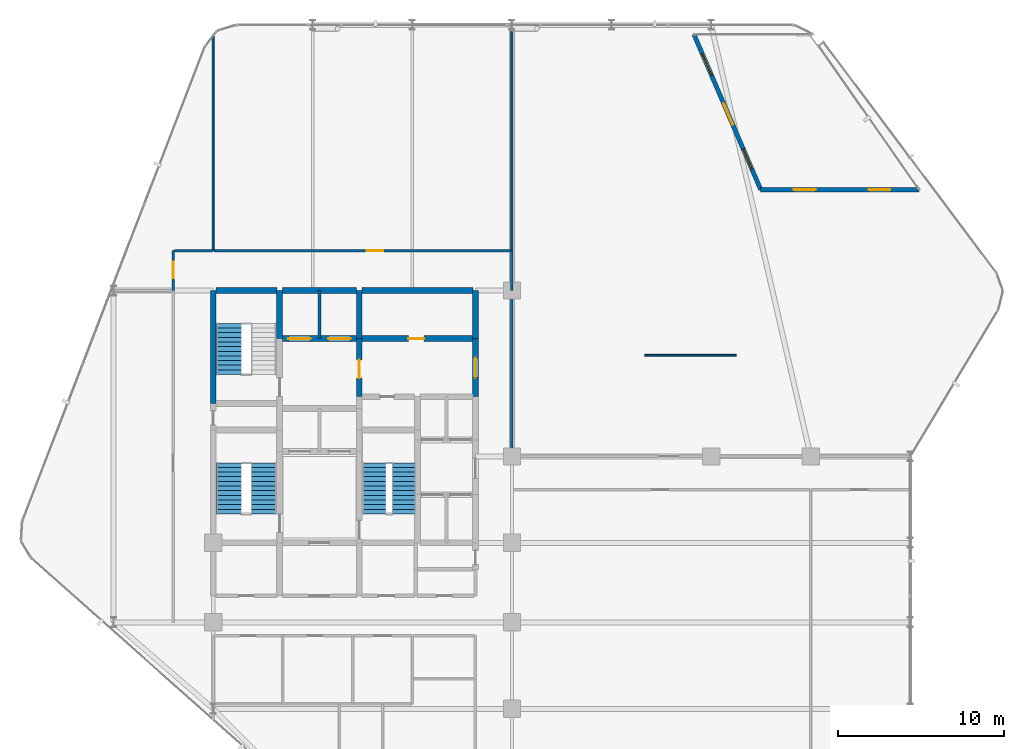
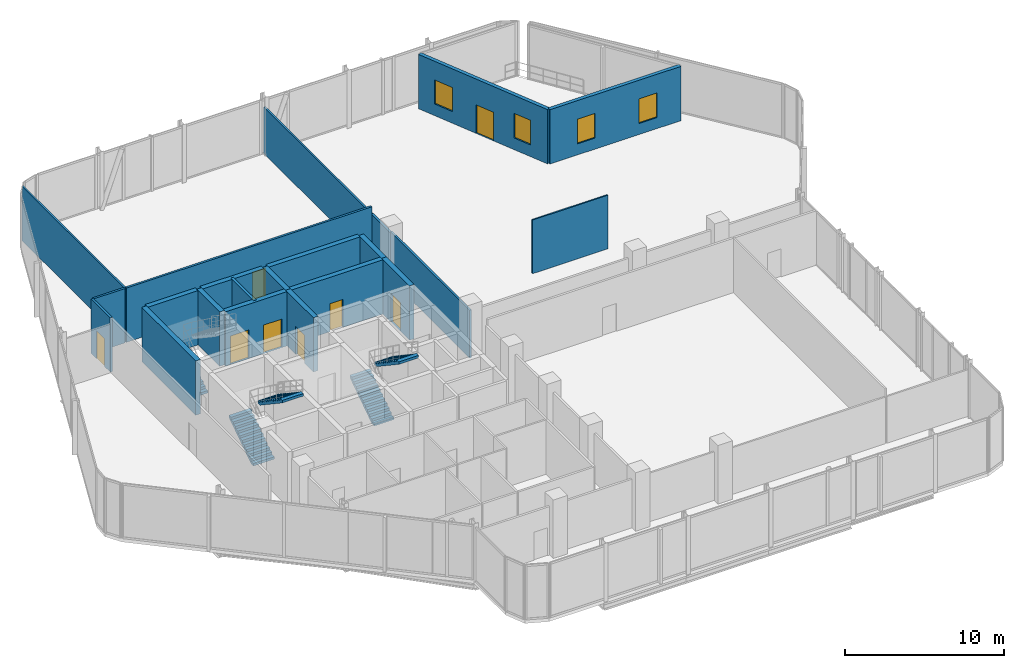
# One storey, part 29 of 31: 22 walls, 8 doors, 5 stair flights, 4 windows, 12 openings, 3 elements without a shape of their own.
"""IFC4 building model written with IfcOpenShell, lengths in metres."""

from ifc_helpers import new_model, si_unit, direction, frame, frame_2d, origin, place, context, subcontext, project, spatial, polyline, rectangle, outline, extrude, material, layer, layer_set, type_object, element, fill, aggregate, save


model = new_model("IFC4")

# Units and contexts
model_context = context("Model", 3, precision=1e-05, world=origin(), true_north=direction((0.0, 1.0)))
body_context = subcontext(model_context, "Body", "Model", "MODEL_VIEW")
ifc_project = project(units=[si_unit("LENGTHUNIT", "METRE"), si_unit("AREAUNIT", "SQUARE_METRE"), si_unit("VOLUMEUNIT", "CUBIC_METRE"), si_unit("PLANEANGLEUNIT", "RADIAN"), si_unit("MASSUNIT", "GRAM", prefix="KILO")], contexts=[model_context])

# Site, building, storey
site_placement = place(None, origin())
site = spatial("IfcSite", under=ifc_project, at=site_placement, CompositionType="ELEMENT")
building_placement = place(site_placement, origin())
building = spatial("IfcBuilding", under=site, at=building_placement, Name="Keshet Zoharim Tower", CompositionType="ELEMENT")
storey_placement = place(building_placement, frame((0.0, 0.0, 125.300048828125)))
storey = spatial("IfcBuildingStorey", under=building, at=storey_placement, Name="L30", CompositionType="ELEMENT", Elevation=125.300048828125)

# Wall, opening, door
ifc_material_1 = material(Name="Gypsum Plasterboard", Category="gypsum")
ifc_layer_1 = layer(ifc_material_1, 0.14990234375)
ifc_layer_set_1 = layer_set([ifc_layer_1], Name="Gypsum Plasterboard")
wall_type_1 = type_object("IfcWallType", Name="WL-CLIN-150", PredefinedType="STANDARD", material=ifc_layer_set_1)
wall_1_placement = place(storey_placement, frame((12.60009765625, 37.89990234375, 0.0), z_axis=(0.0, 0.0, 1.0), x_axis=(0.0, 1.0, 0.0)))
wall_1 = element("IfcWall", 1, at=wall_1_placement, inside=storey, type_object=wall_type_1, Name="L30 Interior Wall 002", PredefinedType="STANDARD", context=body_context, shape_type="SweptSolid", body=[
    extrude(rectangle(XDim=2.400146484375, YDim=0.14990234375, at=frame_2d((1.2001953125, 0.0))), origin(), (0.0, 0.0, 1.0), 4.18505859375),
])
opening_1_placement = place(wall_1_placement, frame((0.72509765625, 0.0, 0.0)))
opening_1 = element("IfcOpeningElement", 2, at=opening_1_placement, cuts=wall_1, Name="Opening D-F310", PredefinedType="OPENING", context=body_context, shape_type="SweptSolid", body=[
    extrude(rectangle(XDim=1.0, YDim=2.14990234375, at=frame_2d((0.5, 1.074951171875))), frame((0.0, 0.0849609375, 0.0), z_axis=(0.0, -1.0, 0.0), x_axis=(1.0, 0.0, 0.0)), (0.0, 0.0, 1.0), 0.169921875),
])
ifc_material_2 = material(Name="Hardwood Timber", Category="wood")
door_type_1 = type_object("IfcDoorType", Name="DR-FD30-100", OperationType="NOTDEFINED", PredefinedType="DOOR", material=ifc_material_2)
door_1_placement = place(opening_1_placement, origin())
door_1 = element("IfcDoor", 3, at=door_1_placement, inside=storey, type_object=door_type_1, Name="L30 North-West Residents Salon Door", OperationType="SINGLE_SWING_LEFT", OverallHeight=2.14990234375, OverallWidth=1.0, PredefinedType="DOOR", context=body_context, shape_type="SweptSolid", body=[
    extrude(rectangle(XDim=1.0, YDim=2.14990234375, at=frame_2d((0.5, 1.074951171875))), frame((0.0, 0.02490234375, 0.0), z_axis=(0.0, -1.0, 0.0), x_axis=(1.0, 0.0, 0.0)), (0.0, 0.0, 1.0), 0.050048828125),
])
fill(opening_1, door_1)

# Walls
wall_2_placement = place(storey_placement, frame((33.0, 27.89990234375, 0.0), z_axis=(0.0, 0.0, 1.0), x_axis=(0.0, 1.0, 0.0)))
element("IfcWall", 4, at=wall_2_placement, inside=storey, type_object=wall_type_1, Name="L30 Interior Wall 048", PredefinedType="STANDARD", context=body_context, shape_type="SweptSolid", body=[
    extrude(rectangle(XDim=10.0, YDim=0.14990234375, at=frame_2d((5.0, 0.0))), origin(), (0.0, 0.0, 1.0), 3.68505859375),
])
wall_3_placement = place(storey_placement, frame((12.659912109375, 40.300048828125, 0.0), z_axis=(0.0, 0.0, 1.0), x_axis=(1.0, 0.0, 0.0)))
element("IfcWall", 5, at=wall_3_placement, inside=storey, type_object=wall_type_1, Name="L30 Interior Wall 092", PredefinedType="STANDARD", context=body_context, shape_type="SweptSolid", body=[
    extrude(rectangle(XDim=2.295166015625, YDim=0.14990234375, at=frame_2d((1.1474609375, 0.0))), origin(), (0.0, 0.0, 1.0), 4.18505859375),
])

# Wall, opening, door
wall_4_placement = place(storey_placement, frame((15.044921875, 40.300048828125, 0.0), z_axis=(0.0, 0.0, 1.0), x_axis=(1.0, 0.0, 0.0)))
wall_4 = element("IfcWall", 6, at=wall_4_placement, inside=storey, type_object=wall_type_1, Name="L30 Interior Wall 093", PredefinedType="STANDARD", context=body_context, shape_type="SweptSolid", body=[
    extrude(rectangle(XDim=17.89501953125, YDim=0.14990234375, at=frame_2d((8.947509765625, 0.0))), origin(), (0.0, 0.0, 1.0), 4.18505859375),
])
opening_2_placement = place(wall_4_placement, frame((9.205078125, 0.0, 0.0)))
opening_2 = element("IfcOpeningElement", 7, at=opening_2_placement, cuts=wall_4, Name="Opening D-F310", PredefinedType="OPENING", context=body_context, shape_type="SweptSolid", body=[
    extrude(rectangle(XDim=1.0, YDim=2.14990234375, at=frame_2d((0.5, 1.074951171875))), frame((0.0, 0.0849609375, 0.0), z_axis=(0.0, -1.0, 0.0), x_axis=(1.0, 0.0, 0.0)), (0.0, 0.0, 1.0), 0.169921875),
])
door_2_placement = place(opening_2_placement, origin())
door_2 = element("IfcDoor", 8, at=door_2_placement, inside=storey, type_object=door_type_1, Name="L30 Library and Study Room Door", OperationType="SINGLE_SWING_RIGHT", OverallHeight=2.14990234375, OverallWidth=1.0, PredefinedType="DOOR", context=body_context, shape_type="SweptSolid", body=[
    extrude(rectangle(XDim=1.0, YDim=2.14990234375, at=frame_2d((0.5, 1.074951171875))), frame((0.0, 0.02490234375, 0.0), z_axis=(0.0, -1.0, 0.0), x_axis=(1.0, 0.0, 0.0)), (0.0, 0.0, 1.0), 0.050048828125),
])
fill(opening_2, door_2)

# Walls
wall_5_placement = place(storey_placement, frame((33.0, 37.89990234375, 0.0), z_axis=(0.0, 0.0, 1.0), x_axis=(0.0, 1.0, 0.0)))
element("IfcWall", 9, at=wall_5_placement, inside=storey, type_object=wall_type_1, Name="L30 Interior Wall 048 Part 2", PredefinedType="STANDARD", context=body_context, shape_type="SweptSolid", body=[
    extrude(rectangle(XDim=2.400146484375, YDim=0.14990234375, at=frame_2d((1.2001953125, 0.0))), origin(), (0.0, 0.0, 1.0), 3.5849609375),
])
ifc_material_3 = material(Name="Concrete C60/75", Category="concrete")
ifc_layer_2 = layer(ifc_material_3, 0.35009765625)
ifc_layer_set_2 = layer_set([ifc_layer_2], Name="Concrete C60/75")
wall_type_2 = type_object("IfcWallType", Name="WL-CORE-350", PredefinedType="SHEAR", material=ifc_layer_set_2)
wall_6_placement = place(storey_placement, frame((15.0, 31.10009765625, 0.0), z_axis=(0.0, 0.0, 1.0), x_axis=(0.0, 1.0, 0.0)))
element("IfcWall", 10, at=wall_6_placement, inside=storey, type_object=wall_type_2, Name="L30 Core Shear Wall 008", PredefinedType="SHEAR", context=body_context, shape_type="SweptSolid", body=[
    extrude(rectangle(XDim=6.7998046875, YDim=0.35009765625, at=frame_2d((3.39990234375, 0.0))), origin(), (0.0, 0.0, 1.0), 4.18505859375),
])
wall_7_placement = place(storey_placement, frame((19.0, 35.0, 0.0), z_axis=(0.0, 0.0, 1.0), x_axis=(0.0, 1.0, 0.0)))
element("IfcWall", 11, at=wall_7_placement, inside=storey, type_object=wall_type_2, Name="L30 Core Shear Wall 014", PredefinedType="SHEAR", context=body_context, shape_type="SweptSolid", body=[
    extrude(rectangle(XDim=2.89990234375, YDim=0.35009765625, at=frame_2d((1.449951171875, 0.0))), origin(), (0.0, 0.0, 1.0), 4.18505859375),
])

# Wall, opening, door
wall_8_placement = place(storey_placement, frame((23.800048828125, 31.5, 0.0), z_axis=(0.0, 0.0, 1.0), x_axis=(0.0, 1.0, 0.0)))
wall_8 = element("IfcWall", 12, at=wall_8_placement, inside=storey, type_object=wall_type_2, Name="L30 Core Shear Wall 025", PredefinedType="SHEAR", context=body_context, shape_type="SweptSolid", body=[
    extrude(rectangle(XDim=3.5, YDim=0.35009765625, at=frame_2d((1.75, 0.0))), origin(), (0.0, 0.0, 1.0), 4.18505859375),
])
opening_3_placement = place(wall_8_placement, frame((1.126953125, 0.0, 0.0)))
opening_3 = element("IfcOpeningElement", 13, at=opening_3_placement, cuts=wall_8, Name="Opening D-F611", PredefinedType="OPENING", context=body_context, shape_type="SweptSolid", body=[
    extrude(rectangle(XDim=1.10009765625, YDim=2.14990234375, at=frame_2d((0.550048828125, 1.074951171875))), frame((0.0, 0.18505859375, 0.0), z_axis=(0.0, -1.0, 0.0), x_axis=(1.0, 0.0, 0.0)), (0.0, 0.0, 1.0), 0.3701171875),
])
door_type_2 = type_object("IfcDoorType", Name="DR-FD60-110", OperationType="NOTDEFINED", PredefinedType="DOOR", material=ifc_material_2)
door_3_placement = place(opening_3_placement, origin())
door_3 = element("IfcDoor", 14, at=door_3_placement, inside=storey, type_object=door_type_2, Name="L30 Firefighting Lobby Fire Door", OperationType="SINGLE_SWING_RIGHT", OverallHeight=2.14990234375, OverallWidth=1.10009765625, PredefinedType="DOOR", context=body_context, shape_type="SweptSolid", body=[
    extrude(rectangle(XDim=1.10009765625, YDim=2.14990234375, at=frame_2d((0.550048828125, 1.074951171875))), frame((0.0, 0.02490234375, 0.0), z_axis=(0.0, -1.0, 0.0), x_axis=(1.0, 0.0, 0.0)), (0.0, 0.0, 1.0), 0.050048828125),
])
fill(opening_3, door_3)

# Wall
wall_9_placement = place(storey_placement, frame((23.800048828125, 35.0, 0.0), z_axis=(0.0, 0.0, 1.0), x_axis=(0.0, 1.0, 0.0)))
element("IfcWall", 15, at=wall_9_placement, inside=storey, type_object=wall_type_2, Name="L30 Core Shear Wall 026", PredefinedType="SHEAR", context=body_context, shape_type="SweptSolid", body=[
    extrude(rectangle(XDim=2.89990234375, YDim=0.35009765625, at=frame_2d((1.449951171875, 0.0))), origin(), (0.0, 0.0, 1.0), 4.18505859375),
])

# Wall, opening, door
wall_10_placement = place(storey_placement, frame((30.800048828125, 31.5, 0.0), z_axis=(0.0, 0.0, 1.0), x_axis=(0.0, 1.0, 0.0)))
wall_10 = element("IfcWall", 16, at=wall_10_placement, inside=storey, type_object=wall_type_2, Name="L30 Core Shear Wall 045", PredefinedType="SHEAR", context=body_context, shape_type="SweptSolid", body=[
    extrude(rectangle(XDim=3.5, YDim=0.35009765625, at=frame_2d((1.75, 0.0))), origin(), (0.0, 0.0, 1.0), 4.18505859375),
])
opening_4_placement = place(wall_10_placement, frame((1.14990234375, 0.0, 0.0)))
opening_4 = element("IfcOpeningElement", 17, at=opening_4_placement, cuts=wall_10, Name="Opening D-F612", PredefinedType="OPENING", context=body_context, shape_type="SweptSolid", body=[
    extrude(rectangle(XDim=1.199951171875, YDim=2.199951171875, at=frame_2d((0.60009765625, 1.10009765625))), frame((0.0, 0.18505859375, 0.0), z_axis=(0.0, -1.0, 0.0), x_axis=(1.0, 0.0, 0.0)), (0.0, 0.0, 1.0), 0.3701171875),
])
door_type_3 = type_object("IfcDoorType", Name="DR-FD60-120", OperationType="NOTDEFINED", PredefinedType="DOOR", material=ifc_material_2)
door_4_placement = place(opening_4_placement, origin())
door_4 = element("IfcDoor", 18, at=door_4_placement, inside=storey, type_object=door_type_3, Name="L30 North Lift Lobby East Fire Door", OperationType="SINGLE_SWING_LEFT", OverallHeight=2.199951171875, OverallWidth=1.199951171875, PredefinedType="DOOR", context=body_context, shape_type="SweptSolid", body=[
    extrude(rectangle(XDim=1.199951171875, YDim=2.199951171875, at=frame_2d((0.60009765625, 1.10009765625))), frame((0.0, 0.02490234375, 0.0), z_axis=(0.0, -1.0, 0.0), x_axis=(1.0, 0.0, 0.0)), (0.0, 0.0, 1.0), 0.050048828125),
])
fill(opening_4, door_4)

# Wall
wall_11_placement = place(storey_placement, frame((30.800048828125, 35.0, 0.0), z_axis=(0.0, 0.0, 1.0), x_axis=(0.0, 1.0, 0.0)))
element("IfcWall", 19, at=wall_11_placement, inside=storey, type_object=wall_type_2, Name="L30 Core Shear Wall 046", PredefinedType="SHEAR", context=body_context, shape_type="SweptSolid", body=[
    extrude(rectangle(XDim=2.89990234375, YDim=0.35009765625, at=frame_2d((1.449951171875, 0.0))), origin(), (0.0, 0.0, 1.0), 4.18505859375),
])

# Wall, openings, doors
wall_12_placement = place(storey_placement, frame((19.159912109375, 35.0, 0.0), z_axis=(0.0, 0.0, 1.0), x_axis=(1.0, 0.0, 0.0)))
wall_12 = element("IfcWall", 20, at=wall_12_placement, inside=storey, type_object=wall_type_2, Name="L30 Core Shear Wall 086", PredefinedType="SHEAR", context=body_context, shape_type="SweptSolid", body=[
    extrude(rectangle(XDim=4.47998046875, YDim=0.35009765625, at=frame_2d((2.239990234375, 0.0))), origin(), (0.0, 0.0, 1.0), 4.18505859375),
])
opening_5_placement = place(wall_12_placement, frame((0.364990234375, 0.0, 0.0)))
opening_5 = element("IfcOpeningElement", 21, at=opening_5_placement, cuts=wall_12, Name="Opening LD-02", PredefinedType="OPENING", context=body_context, shape_type="SweptSolid", body=[
    extrude(rectangle(XDim=1.35009765625, YDim=2.199951171875, at=frame_2d((0.675048828125, 1.10009765625))), frame((0.0, 0.18505859375, 0.0), z_axis=(0.0, -1.0, 0.0), x_axis=(1.0, 0.0, 0.0)), (0.0, 0.0, 1.0), 0.3701171875),
])
opening_6_placement = place(wall_12_placement, frame((2.764892578125, 0.0, 0.0)))
opening_6 = element("IfcOpeningElement", 22, at=opening_6_placement, cuts=wall_12, Name="Opening LD-02", PredefinedType="OPENING", context=body_context, shape_type="SweptSolid", body=[
    extrude(rectangle(XDim=1.35009765625, YDim=2.199951171875, at=frame_2d((0.675048828125, 1.10009765625))), frame((0.0, 0.18505859375, 0.0), z_axis=(0.0, -1.0, 0.0), x_axis=(1.0, 0.0, 0.0)), (0.0, 0.0, 1.0), 0.3701171875),
])
ifc_material_4 = material(Name="Steel S355", Category="steel")
door_type_4 = type_object("IfcDoorType", Name="DR-LD02-135", OperationType="DOUBLE_DOOR_SLIDING", PredefinedType="DOOR", material=ifc_material_4)
door_5_placement = place(opening_5_placement, origin())
door_5 = element("IfcDoor", 23, at=door_5_placement, inside=storey, type_object=door_type_4, Name="L30 Firefighting Lift Landing Door FF-01", OperationType="DOUBLE_DOOR_SLIDING", OverallHeight=2.199951171875, OverallWidth=1.35009765625, PredefinedType="DOOR", context=body_context, shape_type="SweptSolid", body=[
    extrude(rectangle(XDim=1.35009765625, YDim=2.199951171875, at=frame_2d((0.675048828125, 1.10009765625))), frame((0.0, 0.02490234375, 0.0), z_axis=(0.0, -1.0, 0.0), x_axis=(1.0, 0.0, 0.0)), (0.0, 0.0, 1.0), 0.050048828125),
])
fill(opening_5, door_5)
door_6_placement = place(opening_6_placement, origin())
door_6 = element("IfcDoor", 24, at=door_6_placement, inside=storey, type_object=door_type_4, Name="L30 Firefighting Lift Landing Door FF-02", OperationType="DOUBLE_DOOR_SLIDING", OverallHeight=2.199951171875, OverallWidth=1.35009765625, PredefinedType="DOOR", context=body_context, shape_type="SweptSolid", body=[
    extrude(rectangle(XDim=1.35009765625, YDim=2.199951171875, at=frame_2d((0.675048828125, 1.10009765625))), frame((0.0, 0.02490234375, 0.0), z_axis=(0.0, -1.0, 0.0), x_axis=(1.0, 0.0, 0.0)), (0.0, 0.0, 1.0), 0.050048828125),
])
fill(opening_6, door_6)

# Wall, opening, door
wall_13_placement = place(storey_placement, frame((23.9599609375, 35.0, 0.0), z_axis=(0.0, 0.0, 1.0), x_axis=(1.0, 0.0, 0.0)))
wall_13 = element("IfcWall", 25, at=wall_13_placement, inside=storey, type_object=wall_type_2, Name="L30 Core Shear Wall 087", PredefinedType="SHEAR", context=body_context, shape_type="SweptSolid", body=[
    extrude(rectangle(XDim=6.679931640625, YDim=0.35009765625, at=frame_2d((3.33984375, 0.0))), origin(), (0.0, 0.0, 1.0), 4.18505859375),
])
opening_7_placement = place(wall_13_placement, frame((2.7939453125, 0.0, 0.0)))
opening_7 = element("IfcOpeningElement", 26, at=opening_7_placement, cuts=wall_13, Name="Opening D-F695", PredefinedType="OPENING", context=body_context, shape_type="SweptSolid", body=[
    extrude(rectangle(XDim=0.949951171875, YDim=2.14990234375, at=frame_2d((0.47509765625, 1.074951171875))), frame((0.0, 0.18505859375, 0.0), z_axis=(0.0, -1.0, 0.0), x_axis=(1.0, 0.0, 0.0)), (0.0, 0.0, 1.0), 0.3701171875),
])
door_type_5 = type_object("IfcDoorType", Name="DR-FD60-095", OperationType="NOTDEFINED", PredefinedType="DOOR", material=ifc_material_2)
door_7_placement = place(opening_7_placement, frame((0.949951171875, 0.0, 0.0), z_axis=(0.0, 0.0, 1.0), x_axis=(-1.0, 0.0, 0.0)))
door_7 = element("IfcDoor", 27, at=door_7_placement, inside=storey, type_object=door_type_5, Name="L30 Low-Rise Overrun Door", OperationType="SINGLE_SWING_LEFT", OverallHeight=2.14990234375, OverallWidth=0.949951171875, PredefinedType="DOOR", context=body_context, shape_type="SweptSolid", body=[
    extrude(rectangle(XDim=0.949951171875, YDim=2.14990234375, at=frame_2d((0.47509765625, 1.074951171875))), frame((0.0, 0.02490234375, 0.0), z_axis=(0.0, -1.0, 0.0), x_axis=(1.0, 0.0, 0.0)), (0.0, 0.0, 1.0), 0.050048828125),
])
fill(opening_7, door_7)

# Walls
wall_14_placement = place(storey_placement, frame((15.159912109375, 37.89990234375, 0.0), z_axis=(0.0, 0.0, 1.0), x_axis=(1.0, 0.0, 0.0)))
element("IfcWall", 28, at=wall_14_placement, inside=storey, type_object=wall_type_2, Name="L30 Core Shear Wall 089", PredefinedType="SHEAR", context=body_context, shape_type="SweptSolid", body=[
    extrude(rectangle(XDim=3.68017578125, YDim=0.35009765625, at=frame_2d((1.840087890625, 0.0))), origin(), (0.0, 0.0, 1.0), 4.18505859375),
])
wall_15_placement = place(storey_placement, frame((19.159912109375, 37.89990234375, 0.0), z_axis=(0.0, 0.0, 1.0), x_axis=(1.0, 0.0, 0.0)))
element("IfcWall", 29, at=wall_15_placement, inside=storey, type_object=wall_type_2, Name="L30 Core Shear Wall 090", PredefinedType="SHEAR", context=body_context, shape_type="SweptSolid", body=[
    extrude(rectangle(XDim=4.47998046875, YDim=0.35009765625, at=frame_2d((2.239990234375, 0.0))), origin(), (0.0, 0.0, 1.0), 4.18505859375),
])
wall_16_placement = place(storey_placement, frame((23.9599609375, 37.89990234375, 0.0), z_axis=(0.0, 0.0, 1.0), x_axis=(1.0, 0.0, 0.0)))
element("IfcWall", 30, at=wall_16_placement, inside=storey, type_object=wall_type_2, Name="L30 Core Shear Wall 091", PredefinedType="SHEAR", context=body_context, shape_type="SweptSolid", body=[
    extrude(rectangle(XDim=6.679931640625, YDim=0.35009765625, at=frame_2d((3.33984375, 0.0))), origin(), (0.0, 0.0, 1.0), 4.18505859375),
])

# Wall, openings, door, windows
ifc_material_5 = material(Name="Concrete C50/60 precast", Category="concrete")
ifc_layer_3 = layer(ifc_material_5, 0.260009765625)
ifc_layer_set_3 = layer_set([ifc_layer_3], Name="Concrete C50/60 precast")
wall_type_3 = type_object("IfcWallType", Name="WL-EXT-260", PredefinedType="STANDARD", material=ifc_layer_set_3)
wall_17_placement = place(storey_placement, frame((43.969970703125, 53.320068359375, 0.0), z_axis=(0.0, 0.0, 1.0), x_axis=(0.395098475243, -0.918638772783, 0.0)))
wall_17 = element("IfcWall", 31, at=wall_17_placement, inside=storey, type_object=wall_type_3, Name="L30 Exterior Facade Wall 01", PredefinedType="STANDARD", context=body_context, shape_type="SweptSolid", body=[
    extrude(rectangle(XDim=10.167236328125, YDim=0.260009765625, at=frame_2d((5.08349609375, 0.0))), origin(), (0.0, 0.0, 1.0), 4.18505859375),
])
opening_8_placement = place(wall_17_placement, frame((4.510986328125, 0.0, 0.0)))
opening_8 = element("IfcOpeningElement", 32, at=opening_8_placement, cuts=wall_17, Name="Opening D-TR14", PredefinedType="OPENING", context=body_context, shape_type="SweptSolid", body=[
    extrude(rectangle(XDim=1.39990234375, YDim=2.199951171875, at=frame_2d((0.699951171875, 1.10009765625))), frame((0.0, 0.14013671875, 0.0), z_axis=(0.0, -1.0, 0.0), x_axis=(1.0, 0.0, 0.0)), (0.0, 0.0, 1.0), 0.280029296875),
])
opening_9_placement = place(wall_17_placement, frame((1.260986328125, 0.0, 0.89990234375)))
opening_9 = element("IfcOpeningElement", 33, at=opening_9_placement, cuts=wall_17, Name="Opening W-140", PredefinedType="OPENING", context=body_context, shape_type="SweptSolid", body=[
    extrude(rectangle(XDim=1.39990234375, YDim=1.85009765625, at=frame_2d((0.699951171875, 0.925048828125))), frame((0.0, 0.14013671875, 0.0), z_axis=(0.0, -1.0, 0.0), x_axis=(1.0, 0.0, 0.0)), (0.0, 0.0, 1.0), 0.280029296875),
])
opening_10_placement = place(wall_17_placement, frame((7.506103515625, 0.0, 0.89990234375)))
opening_10 = element("IfcOpeningElement", 34, at=opening_10_placement, cuts=wall_17, Name="Opening W-130", PredefinedType="OPENING", context=body_context, shape_type="SweptSolid", body=[
    extrude(rectangle(XDim=1.300048828125, YDim=1.89990234375, at=frame_2d((0.64990234375, 0.949951171875))), frame((0.0, 0.14013671875, 0.0), z_axis=(0.0, -1.0, 0.0), x_axis=(1.0, 0.0, 0.0)), (0.0, 0.0, 1.0), 0.280029296875),
])
ifc_material_6 = material(Name="Aluminium 6063-T6", Category="aluminium")
door_type_6 = type_object("IfcDoorType", Name="DR-TER-140", OperationType="DOUBLE_DOOR_SINGLE_SWING", PredefinedType="DOOR", material=ifc_material_6)
door_8_placement = place(opening_8_placement, origin())
door_8 = element("IfcDoor", 35, at=door_8_placement, inside=storey, type_object=door_type_6, Name="L30 Sky Terrace Access Door 01", OperationType="DOUBLE_DOOR_SINGLE_SWING", OverallHeight=2.199951171875, OverallWidth=1.39990234375, PredefinedType="DOOR", context=body_context, shape_type="SweptSolid", body=[
    extrude(rectangle(XDim=1.39990234375, YDim=2.199951171875, at=frame_2d((0.699951171875, 1.10009765625))), frame((0.0, 0.02490234375, 0.0), z_axis=(0.0, -1.0, 0.0), x_axis=(1.0, 0.0, 0.0)), (0.0, 0.0, 1.0), 0.050048828125),
])
fill(opening_8, door_8)
ifc_material_7 = material(Name="Insulated Low-E Clear Glass", Category="glass")
window_type_1 = type_object("IfcWindowType", Name="WN-CRN-130", PartitioningType="SINGLE_PANEL", PredefinedType="WINDOW", material=ifc_material_7)
window_1_placement = place(opening_10_placement, origin())
window_1 = element("IfcWindow", 36, at=window_1_placement, inside=storey, type_object=window_type_1, Name="L30 Terrace Side Window 02", OverallHeight=1.89990234375, OverallWidth=1.300048828125, PartitioningType="SINGLE_PANEL", PredefinedType="WINDOW", context=body_context, shape_type="SweptSolid", body=[
    extrude(rectangle(XDim=1.300048828125, YDim=1.89990234375, at=frame_2d((0.64990234375, 0.949951171875))), frame((0.0, 0.030029296875, 0.0), z_axis=(0.0, -1.0, 0.0), x_axis=(1.0, 0.0, 0.0)), (0.0, 0.0, 1.0), 0.06005859375),
])
fill(opening_10, window_1)
window_type_2 = type_object("IfcWindowType", Name="WN-TER-140", PartitioningType="SINGLE_PANEL", PredefinedType="WINDOW", material=ifc_material_7)
window_2_placement = place(opening_9_placement, origin())
window_2 = element("IfcWindow", 37, at=window_2_placement, inside=storey, type_object=window_type_2, Name="L30 Terrace Side Window 01", OverallHeight=1.85009765625, OverallWidth=1.39990234375, PartitioningType="SINGLE_PANEL", PredefinedType="WINDOW", context=body_context, shape_type="SweptSolid", body=[
    extrude(rectangle(XDim=1.39990234375, YDim=1.85009765625, at=frame_2d((0.699951171875, 0.925048828125))), frame((0.0, 0.030029296875, 0.0), z_axis=(0.0, -1.0, 0.0), x_axis=(1.0, 0.0, 0.0)), (0.0, 0.0, 1.0), 0.06005859375),
])
fill(opening_9, window_2)

# Wall, openings, windows
wall_18_placement = place(storey_placement, frame((47.987060546875, 43.97998046875, 0.0), z_axis=(0.0, 0.0, 1.0), x_axis=(1.0, 0.0, 0.0)))
wall_18 = element("IfcWall", 38, at=wall_18_placement, inside=storey, type_object=wall_type_3, Name="L30 Exterior Facade Wall 02", PredefinedType="STANDARD", context=body_context, shape_type="SweptSolid", body=[
    extrude(rectangle(XDim=9.551025390625, YDim=0.260009765625, at=frame_2d((4.775390625, 0.0))), origin(), (0.0, 0.0, 1.0), 4.18505859375),
])
opening_11_placement = place(wall_18_placement, frame((2.0029296875, 0.0, 0.85009765625)))
opening_11 = element("IfcOpeningElement", 39, at=opening_11_placement, cuts=wall_18, Name="Opening W-130", PredefinedType="OPENING", context=body_context, shape_type="SweptSolid", body=[
    extrude(rectangle(XDim=1.300048828125, YDim=1.89990234375, at=frame_2d((0.64990234375, 0.949951171875))), frame((0.0, 0.14013671875, 0.0), z_axis=(0.0, -1.0, 0.0), x_axis=(1.0, 0.0, 0.0)), (0.0, 0.0, 1.0), 0.280029296875),
])
opening_12_placement = place(wall_18_placement, frame((6.508056640625, 0.0, 0.85009765625)))
opening_12 = element("IfcOpeningElement", 40, at=opening_12_placement, cuts=wall_18, Name="Opening W-130", PredefinedType="OPENING", context=body_context, shape_type="SweptSolid", body=[
    extrude(rectangle(XDim=1.300048828125, YDim=1.89990234375, at=frame_2d((0.64990234375, 0.949951171875))), frame((0.0, 0.14013671875, 0.0), z_axis=(0.0, -1.0, 0.0), x_axis=(1.0, 0.0, 0.0)), (0.0, 0.0, 1.0), 0.280029296875),
])
window_3_placement = place(opening_11_placement, origin())
window_3 = element("IfcWindow", 41, at=window_3_placement, inside=storey, type_object=window_type_1, Name="L30 Wind-Corner Window 03", OverallHeight=1.89990234375, OverallWidth=1.300048828125, PartitioningType="SINGLE_PANEL", PredefinedType="WINDOW", context=body_context, shape_type="SweptSolid", body=[
    extrude(rectangle(XDim=1.300048828125, YDim=1.89990234375, at=frame_2d((0.64990234375, 0.949951171875))), frame((0.0, 0.030029296875, 0.0), z_axis=(0.0, -1.0, 0.0), x_axis=(1.0, 0.0, 0.0)), (0.0, 0.0, 1.0), 0.06005859375),
])
fill(opening_11, window_3)
window_4_placement = place(opening_12_placement, origin())
window_4 = element("IfcWindow", 42, at=window_4_placement, inside=storey, type_object=window_type_1, Name="L30 Wind-Corner Window 04", OverallHeight=1.89990234375, OverallWidth=1.300048828125, PartitioningType="SINGLE_PANEL", PredefinedType="WINDOW", context=body_context, shape_type="SweptSolid", body=[
    extrude(rectangle(XDim=1.300048828125, YDim=1.89990234375, at=frame_2d((0.64990234375, 0.949951171875))), frame((0.0, 0.030029296875, 0.0), z_axis=(0.0, -1.0, 0.0), x_axis=(1.0, 0.0, 0.0)), (0.0, 0.0, 1.0), 0.06005859375),
])
fill(opening_12, window_4)

# Walls
ifc_material_8 = material(Name="Concrete C50/60", Category="concrete")
ifc_layer_4 = layer(ifc_material_8, 0.199951171875)
ifc_layer_set_4 = layer_set([ifc_layer_4], Name="Concrete C50/60")
wall_type_4 = type_object("IfcWallType", Name="WL-FIRE-200", PredefinedType="STANDARD", material=ifc_layer_set_4)
wall_19_placement = place(storey_placement, frame((21.39990234375, 35.0, 0.0), z_axis=(0.0, 0.0, 1.0), x_axis=(0.0, 1.0, 0.0)))
element("IfcWall", 43, at=wall_19_placement, inside=storey, type_object=wall_type_4, Name="L30 Interior Wall 017", PredefinedType="STANDARD", context=body_context, shape_type="SweptSolid", body=[
    extrude(rectangle(XDim=2.89990234375, YDim=0.199951171875, at=frame_2d((1.449951171875, 0.0))), origin(), (0.0, 0.0, 1.0), 4.18505859375),
])
ifc_layer_5 = layer(ifc_material_1, 0.10009765625)
ifc_layer_set_5 = layer_set([ifc_layer_5], Name="Gypsum Plasterboard")
wall_type_5 = type_object("IfcWallType", Name="WL-MOV-100", PredefinedType="MOVABLE", material=ifc_layer_set_5)
wall_20_placement = place(storey_placement, frame((41.0, 34.0, 0.0), z_axis=(0.0, 0.0, 1.0), x_axis=(1.0, 0.0, 0.0)))
element("IfcWall", 44, at=wall_20_placement, inside=storey, type_object=wall_type_5, Name="L30 Community Hall Movable Acoustic Partition", PredefinedType="MOVABLE", context=body_context, shape_type="SweptSolid", body=[
    extrude(rectangle(XDim=5.5, YDim=0.10009765625, at=frame_2d((2.75, 0.0))), origin(), (0.0, 0.0, 1.0), 4.135009765625),
])
ifc_layer_6 = layer(ifc_material_1, 0.1201171875)
ifc_layer_set_6 = layer_set([ifc_layer_6], Name="Gypsum Plasterboard")
wall_type_6 = type_object("IfcWallType", Name="WL-PART-120", PredefinedType="PARTITIONING", material=ifc_layer_set_6)
wall_21_placement = place(storey_placement, frame((15.0, 40.300048828125, 0.0), z_axis=(0.0, 0.0, 1.0), x_axis=(0.0, 1.0, 0.0)))
element("IfcWall", 45, at=wall_21_placement, inside=storey, type_object=wall_type_6, Name="L30 Interior Wall 009", PredefinedType="PARTITIONING", context=body_context, shape_type="SweptSolid", body=[
    extrude(rectangle(XDim=12.932861328125, YDim=0.1201171875, at=frame_2d((6.46630859375, 0.0))), origin(), (0.0, 0.0, 1.0), 4.18505859375),
])
wall_22_placement = place(storey_placement, frame((33.0, 40.300048828125, 0.0), z_axis=(0.0, 0.0, 1.0), x_axis=(0.0, 1.0, 0.0)))
element("IfcWall", 46, at=wall_22_placement, inside=storey, type_object=wall_type_6, Name="L30 Interior Wall 049", PredefinedType="PARTITIONING", context=body_context, shape_type="SweptSolid", body=[
    extrude(rectangle(XDim=13.58984375, YDim=0.1201171875, at=frame_2d((6.794921875, 0.0))), origin(), (0.0, 0.0, 1.0), 3.5849609375),
])

# Stair, stair flights
stair_type = type_object("IfcStairType", Name="STR-EXIT-135", PredefinedType="HALF_TURN_STAIR", material=ifc_material_8)
stair_1_placement = place(storey_placement, origin())
stair_1 = element("IfcStair", 47, at=stair_1_placement, inside=storey, type_object=stair_type, Name="L30 Enclosed Exit Stair ST-01", PredefinedType="HALF_TURN_STAIR")
stair_flight_type_1 = type_object("IfcStairFlightType", Name="FLT-PRE-135", PredefinedType="STRAIGHT", material=ifc_material_8)
stair_flight_1_placement = place(storey_placement, frame((15.945068359375, 24.43994140625, 0.0), z_axis=(0.0, 0.0, 1.0), x_axis=(0.0, 1.0, 0.0)))
stair_flight_1 = element("IfcStairFlight", 48, at=stair_flight_1_placement, type_object=stair_flight_type_1, Name="ST-01 flight 1", NumberOfRisers=12, NumberOfTreads=11, PredefinedType="STRAIGHT", RiserHeight=0.1875, TreadLength=0.28, context=body_context, shape_type="SweptSolid", body=[
    extrude(outline(polyline([(0.0, 0.0), (0.0, 0.1875), (0.280029296875, 0.1875), (0.280029296875, 0.375), (0.56005859375, 0.375), (0.56005859375, 0.5625), (0.840087890625, 0.5625), (0.840087890625, 0.75), (1.1201171875, 0.75), (1.1201171875, 0.9375), (1.39990234375, 0.9375), (1.39990234375, 1.125), (1.679931640625, 1.125), (1.679931640625, 1.3125), (1.9599609375, 1.3125), (1.9599609375, 1.5), (2.239990234375, 1.5), (2.239990234375, 1.6875), (2.52001953125, 1.6875), (2.52001953125, 1.875), (2.800048828125, 1.875), (2.800048828125, 2.0625), (3.080078125, 2.0625), (3.080078125, 2.25), (3.080078125, 1.8701171875), (0.287353515625, 0.0), (0.0, 0.0)])), frame((0.0, 0.76513671875, 0.0), z_axis=(0.0, -1.0, 0.0), x_axis=(1.0, 0.0, 0.0)), (0.0, 0.0, 1.0), 1.530029296875),
])
stair_flight_2_placement = place(storey_placement, frame((18.054931640625, 27.52001953125, 2.25), z_axis=(0.0, 0.0, 1.0), x_axis=(0.0, -1.0, 0.0)))
stair_flight_2 = element("IfcStairFlight", 49, at=stair_flight_2_placement, type_object=stair_flight_type_1, Name="ST-01 flight 2", NumberOfRisers=12, NumberOfTreads=11, PredefinedType="STRAIGHT", RiserHeight=0.1875, TreadLength=0.28, context=body_context, shape_type="SweptSolid", body=[
    extrude(outline(polyline([(0.0, 0.0), (0.0, 0.1875), (0.280029296875, 0.1875), (0.280029296875, 0.375), (0.56005859375, 0.375), (0.56005859375, 0.5625), (0.840087890625, 0.5625), (0.840087890625, 0.75), (1.1201171875, 0.75), (1.1201171875, 0.9375), (1.39990234375, 0.9375), (1.39990234375, 1.125), (1.679931640625, 1.125), (1.679931640625, 1.3125), (1.9599609375, 1.3125), (1.9599609375, 1.5), (2.239990234375, 1.5), (2.239990234375, 1.6875), (2.52001953125, 1.6875), (2.52001953125, 1.875), (2.800048828125, 1.875), (2.800048828125, 2.0625), (3.080078125, 2.0625), (3.080078125, 2.25), (3.080078125, 1.8701171875), (0.287353515625, 0.0), (0.0, 0.0)])), frame((0.0, 0.76513671875, 0.0), z_axis=(0.0, -1.0, 0.0), x_axis=(1.0, 0.0, 0.0)), (0.0, 0.0, 1.0), 1.530029296875),
])
aggregate(stair_1, [stair_flight_1, stair_flight_2])

# Stair, stair flight
stair_2_placement = place(storey_placement, origin())
stair_2 = element("IfcStair", 50, at=stair_2_placement, inside=storey, type_object=stair_type, Name="L30 Enclosed Exit Stair ST-02", PredefinedType="HALF_TURN_STAIR")
stair_flight_3_placement = place(storey_placement, frame((15.945068359375, 32.840087890625, 0.0), z_axis=(0.0, 0.0, 1.0), x_axis=(0.0, 1.0, 0.0)))
stair_flight_3 = element("IfcStairFlight", 51, at=stair_flight_3_placement, type_object=stair_flight_type_1, Name="ST-02 flight 1", NumberOfRisers=12, NumberOfTreads=11, PredefinedType="STRAIGHT", RiserHeight=0.1875, TreadLength=0.28, context=body_context, shape_type="SweptSolid", body=[
    extrude(outline(polyline([(0.0, 0.0), (0.0, 0.1875), (0.280029296875, 0.1875), (0.280029296875, 0.375), (0.56005859375, 0.375), (0.56005859375, 0.5625), (0.840087890625, 0.5625), (0.840087890625, 0.75), (1.1201171875, 0.75), (1.1201171875, 0.9375), (1.39990234375, 0.9375), (1.39990234375, 1.125), (1.679931640625, 1.125), (1.679931640625, 1.3125), (1.9599609375, 1.3125), (1.9599609375, 1.5), (2.239990234375, 1.5), (2.239990234375, 1.6875), (2.52001953125, 1.6875), (2.52001953125, 1.875), (2.800048828125, 1.875), (2.800048828125, 2.0625), (3.080078125, 2.0625), (3.080078125, 2.25), (3.080078125, 1.8701171875), (0.287353515625, 0.0), (0.0, 0.0)])), frame((0.0, 0.76513671875, 0.0), z_axis=(0.0, -1.0, 0.0), x_axis=(1.0, 0.0, 0.0)), (0.0, 0.0, 1.0), 1.530029296875),
])
aggregate(stair_2, [stair_flight_3])

# Stair, stair flights
stair_3_placement = place(storey_placement, origin())
stair_3 = element("IfcStair", 52, at=stair_3_placement, inside=storey, type_object=stair_type, Name="L30 Enclosed Exit Stair ST-03", PredefinedType="HALF_TURN_STAIR")
stair_flight_type_2 = type_object("IfcStairFlightType", Name="FLT-PRE-144", PredefinedType="STRAIGHT", material=ifc_material_8)
stair_flight_4_placement = place(storey_placement, frame((24.699951171875, 24.43994140625, 0.0), z_axis=(0.0, 0.0, 1.0), x_axis=(0.0, 1.0, 0.0)))
stair_flight_4 = element("IfcStairFlight", 53, at=stair_flight_4_placement, type_object=stair_flight_type_2, Name="ST-03 flight 1", NumberOfRisers=12, NumberOfTreads=11, PredefinedType="STRAIGHT", RiserHeight=0.1875, TreadLength=0.28, context=body_context, shape_type="SweptSolid", body=[
    extrude(outline(polyline([(0.0, 0.0), (0.0, 0.1875), (0.280029296875, 0.1875), (0.280029296875, 0.375), (0.56005859375, 0.375), (0.56005859375, 0.5625), (0.840087890625, 0.5625), (0.840087890625, 0.75), (1.1201171875, 0.75), (1.1201171875, 0.9375), (1.39990234375, 0.9375), (1.39990234375, 1.125), (1.679931640625, 1.125), (1.679931640625, 1.3125), (1.9599609375, 1.3125), (1.9599609375, 1.5), (2.239990234375, 1.5), (2.239990234375, 1.6875), (2.52001953125, 1.6875), (2.52001953125, 1.875), (2.800048828125, 1.875), (2.800048828125, 2.0625), (3.080078125, 2.0625), (3.080078125, 2.25), (3.080078125, 1.8701171875), (0.287353515625, 0.0), (0.0, 0.0)])), frame((0.0, 0.719970703125, 0.0), z_axis=(0.0, -1.0, 0.0), x_axis=(1.0, 0.0, 0.0)), (0.0, 0.0, 1.0), 1.43994140625),
])
stair_flight_5_placement = place(storey_placement, frame((26.5, 27.52001953125, 2.25), z_axis=(0.0, 0.0, 1.0), x_axis=(0.0, -1.0, 0.0)))
stair_flight_5 = element("IfcStairFlight", 54, at=stair_flight_5_placement, type_object=stair_flight_type_2, Name="ST-03 flight 2", NumberOfRisers=12, NumberOfTreads=11, PredefinedType="STRAIGHT", RiserHeight=0.1875, TreadLength=0.28, context=body_context, shape_type="SweptSolid", body=[
    extrude(outline(polyline([(0.0, 0.0), (0.0, 0.1875), (0.280029296875, 0.1875), (0.280029296875, 0.375), (0.56005859375, 0.375), (0.56005859375, 0.5625), (0.840087890625, 0.5625), (0.840087890625, 0.75), (1.1201171875, 0.75), (1.1201171875, 0.9375), (1.39990234375, 0.9375), (1.39990234375, 1.125), (1.679931640625, 1.125), (1.679931640625, 1.3125), (1.9599609375, 1.3125), (1.9599609375, 1.5), (2.239990234375, 1.5), (2.239990234375, 1.6875), (2.52001953125, 1.6875), (2.52001953125, 1.875), (2.800048828125, 1.875), (2.800048828125, 2.0625), (3.080078125, 2.0625), (3.080078125, 2.25), (3.080078125, 1.8701171875), (0.287353515625, 0.0), (0.0, 0.0)])), frame((0.0, 0.719970703125, 0.0), z_axis=(0.0, -1.0, 0.0), x_axis=(1.0, 0.0, 0.0)), (0.0, 0.0, 1.0), 1.43994140625),
])
aggregate(stair_3, [stair_flight_4, stair_flight_5])

save(model, "model.ifc")
